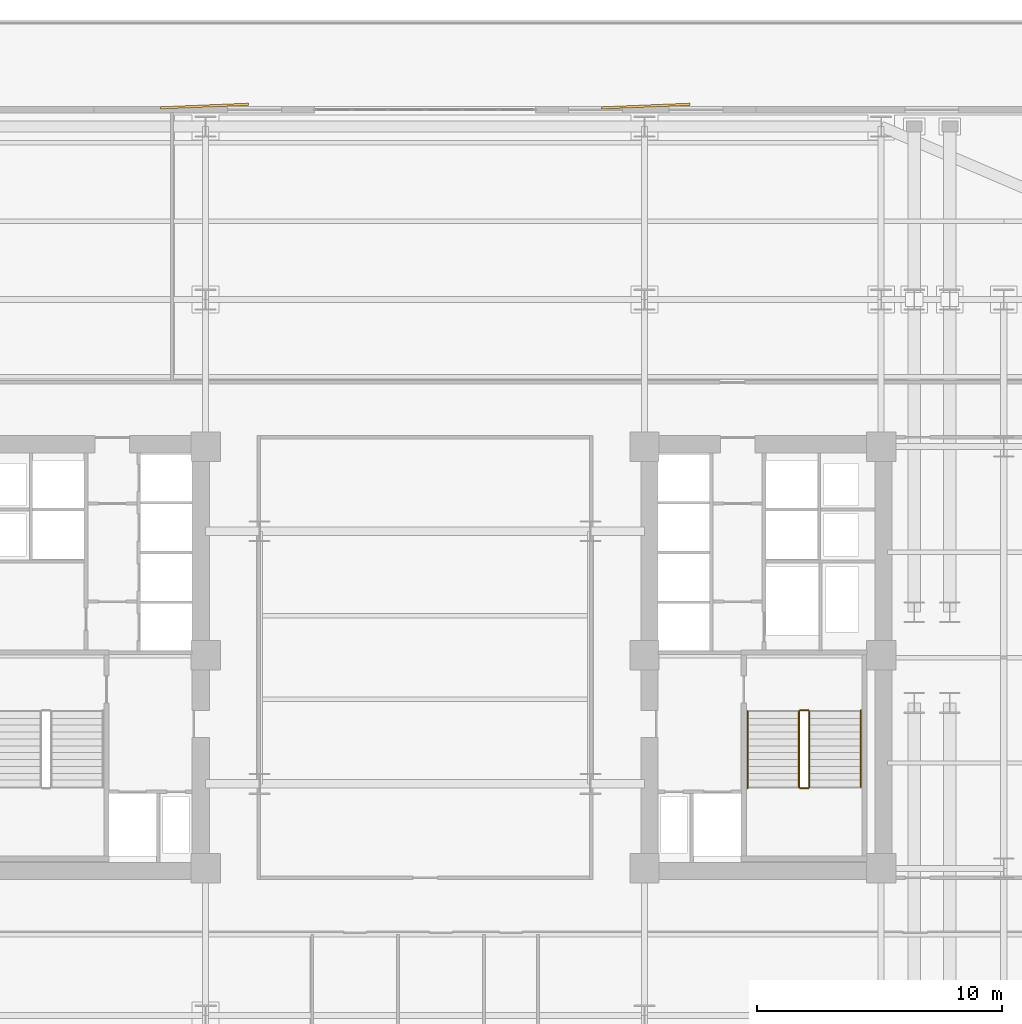
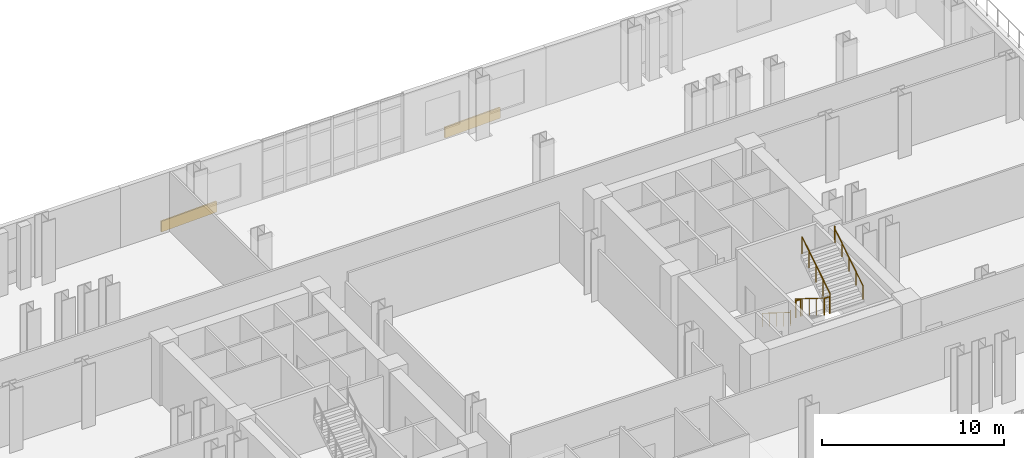
# One storey, part 13 of 14: 6 railings, 2 coverings.
"""IFC4 building model written with IfcOpenShell, lengths in metres."""

from ifc_helpers import new_model, si_unit, direction, frame, origin, origin_2d, place, context, subcontext, project, spatial, rectangle, circle, extrude, material, layer, layer_set, type_object, element, save


model = new_model("IFC4")

# Units and contexts
model_context = context("Model", 3, precision=1e-05, world=origin(), true_north=direction((0.0, 1.0)))
body_context = subcontext(model_context, "Body", "Model", "MODEL_VIEW")
ifc_project = project(units=[si_unit("LENGTHUNIT", "METRE"), si_unit("AREAUNIT", "SQUARE_METRE"), si_unit("VOLUMEUNIT", "CUBIC_METRE"), si_unit("PLANEANGLEUNIT", "RADIAN"), si_unit("MASSUNIT", "GRAM", prefix="KILO")], contexts=[model_context])

# Site, building, storey
site_placement = place(None, origin())
site = spatial("IfcSite", under=ifc_project, at=site_placement, CompositionType="ELEMENT")
building_placement = place(site_placement, origin())
building = spatial("IfcBuilding", under=site, at=building_placement, Name="Velakula Bourse", CompositionType="ELEMENT")
storey_placement = place(building_placement, frame((0.0, 0.0, 27.0)))
storey = spatial("IfcBuildingStorey", under=building, at=storey_placement, Name="L06", CompositionType="ELEMENT", Elevation=27.0)

# Coverings
ifc_material_1 = material(Name="Red kilned clay facing brick masonry", Category="masonry")
ifc_layer = layer(ifc_material_1, 0.090087890625, Name="Red kilned clay facing brick masonry", Category="masonry")
ifc_layer_set = layer_set([ifc_layer], Name="Red kilned clay facing brick masonry")
covering_type = type_object("IfcCoveringType", Name="COV-BRK-FOLD-90", PredefinedType="CLADDING", material=ifc_layer_set)
for number, where, z_axis, x_axis, name in (
    (1, (-9.0, 22.489990234375, 0.0), (0.0, 0.0, 1.0), (0.999158993058, 0.041003738744, 0.0), "L06 Folded Brick Facade Cladding Panel N-B2"),
    (2, (9.0, 22.489990234375, 0.0), (0.0, 0.0, 1.0), (0.999158993058, 0.041003738744, 0.0), "L06 Folded Brick Facade Cladding Panel N-B4"),
):
    element("IfcCovering", number, at=place(storey_placement, frame(where, z_axis=z_axis, x_axis=x_axis)), inside=storey, type_object=covering_type, Name=name, PredefinedType="CLADDING", context=body_context, shape_type="SweptSolid", body=[
        extrude(rectangle(XDim=3.60009765625, YDim=0.090087890625, at=origin_2d()), origin(), (0.0, 0.0, 1.0), 0.719970703125),
    ])

# Railings
ifc_material_2 = material(Name="Brushed grade 316 stainless steel", Category="steel")
railing_type_1 = type_object("IfcRailingType", Name="RLG-STAIR-GUARD-1150", PredefinedType="BALUSTRADE", material=ifc_material_2)
railing_1_placement = place(storey_placement, frame((15.248046875, -2.199951171875, 0.175048828125)))
element("IfcRailing", 3, at=railing_1_placement, inside=storey, type_object=railing_type_1, Name="L06 ST-E1 stair guard 1", PredefinedType="BALUSTRADE", context=body_context, shape_type="SweptSolid", body=[
    extrude(circle(Radius=0.02490234375, at=origin_2d()), frame((0.0, 0.0, 1.125), z_axis=(0.0, -0.847998304005, 0.529998940003), x_axis=(1.0, 0.0, 0.0)), (0.0, 0.0, 1.0), 3.632080078125),
    extrude(circle(Radius=0.02099609375, at=origin_2d()), origin(), (0.0, 0.0, 1.0), 1.099853515625),
    extrude(circle(Radius=0.02099609375, at=origin_2d()), frame((0.0, -0.77001953125, 0.481201171875)), (0.0, 0.0, 1.0), 1.099853515625),
    extrude(circle(Radius=0.02099609375, at=origin_2d()), frame((0.0, -1.5400390625, 0.96240234375)), (0.0, 0.0, 1.0), 1.099853515625),
    extrude(circle(Radius=0.02099609375, at=origin_2d()), frame((0.0, -2.31005859375, 1.44384765625)), (0.0, 0.0, 1.0), 1.099853515625),
    extrude(circle(Radius=0.02099609375, at=origin_2d()), frame((0.0, -3.080078125, 1.925048828125)), (0.0, 0.0, 1.0), 1.099853515625),
])
railing_2_placement = place(storey_placement, frame((15.298095703125, -5.330078125, 2.10009765625)))
element("IfcRailing", 4, at=railing_2_placement, inside=storey, type_object=railing_type_1, Name="L06 ST-E1 stair guard 2", PredefinedType="BALUSTRADE", context=body_context, shape_type="SweptSolid", body=[
    extrude(circle(Radius=0.02490234375, at=origin_2d()), frame((0.0, 0.0, 1.125), z_axis=(1.0, 0.0, 0.0), x_axis=(0.0, 1.0, 0.0)), (0.0, 0.0, 1.0), 0.323974609375),
    extrude(circle(Radius=0.02099609375, at=origin_2d()), origin(), (0.0, 0.0, 1.0), 1.099853515625),
    extrude(circle(Radius=0.02099609375, at=origin_2d()), frame((0.323974609375, 0.0, 0.0)), (0.0, 0.0, 1.0), 1.099853515625),
])
railing_3_placement = place(storey_placement, frame((15.672119140625, -5.280029296875, 2.27490234375)))
element("IfcRailing", 5, at=railing_3_placement, inside=storey, type_object=railing_type_1, Name="L06 ST-E1 stair guard 3", PredefinedType="BALUSTRADE", context=body_context, shape_type="SweptSolid", body=[
    extrude(circle(Radius=0.02490234375, at=origin_2d()), frame((0.0, 0.0, 1.125), z_axis=(0.0, 0.847998304005, 0.529998940003), x_axis=(-1.0, 0.0, 0.0)), (0.0, 0.0, 1.0), 3.632080078125),
    extrude(circle(Radius=0.02099609375, at=origin_2d()), origin(), (0.0, 0.0, 1.0), 1.099853515625),
    extrude(circle(Radius=0.02099609375, at=origin_2d()), frame((0.0, 0.77001953125, 0.481201171875)), (0.0, 0.0, 1.0), 1.099853515625),
    extrude(circle(Radius=0.02099609375, at=origin_2d()), frame((0.0, 1.5400390625, 0.96240234375)), (0.0, 0.0, 1.0), 1.099853515625),
    extrude(circle(Radius=0.02099609375, at=origin_2d()), frame((0.0, 2.31005859375, 1.44384765625)), (0.0, 0.0, 1.0), 1.099853515625),
    extrude(circle(Radius=0.02099609375, at=origin_2d()), frame((0.0, 3.080078125, 1.925048828125)), (0.0, 0.0, 1.0), 1.099853515625),
])
railing_4_placement = place(storey_placement, frame((15.298095703125, -2.14990234375, 0.0)))
element("IfcRailing", 6, at=railing_4_placement, inside=storey, type_object=railing_type_1, Name="L06 ST-E1 stair guard 4", PredefinedType="BALUSTRADE", context=body_context, shape_type="SweptSolid", body=[
    extrude(circle(Radius=0.02490234375, at=origin_2d()), frame((0.0, 0.0, 1.125), z_axis=(1.0, 0.0, 0.0), x_axis=(0.0, 1.0, 0.0)), (0.0, 0.0, 1.0), 0.323974609375),
    extrude(circle(Radius=0.02099609375, at=origin_2d()), origin(), (0.0, 0.0, 1.0), 1.099853515625),
    extrude(circle(Radius=0.02099609375, at=origin_2d()), frame((0.323974609375, 0.0, 0.0)), (0.0, 0.0, 1.0), 1.099853515625),
])
railing_type_2 = type_object("IfcRailingType", Name="RLG-STAIR-HAND-920", PredefinedType="HANDRAIL", material=ifc_material_2)
railing_5_placement = place(storey_placement, frame((13.14990234375, -2.199951171875, 0.175048828125)))
element("IfcRailing", 7, at=railing_5_placement, inside=storey, type_object=railing_type_2, Name="L06 ST-E1 stair handrail 1", PredefinedType="HANDRAIL", context=body_context, shape_type="SweptSolid", body=[
    extrude(circle(Radius=0.02099609375, at=origin_2d()), frame((0.0, 0.0, 0.89892578125), z_axis=(0.0, -0.847998304005, 0.529998940003), x_axis=(1.0, 0.0, 0.0)), (0.0, 0.0, 1.0), 3.632080078125),
    extrude(circle(Radius=0.02099609375, at=origin_2d()), frame((0.0, -3.080078125, 2.823974609375), z_axis=(0.0, -0.223268366363, 0.974757014123), x_axis=(1.0, 0.0, 0.0)), (0.0, 0.0, 1.0), 0.179443359375),
    extrude(circle(Radius=0.02099609375, at=origin_2d()), frame((0.0, -3.1201171875, 2.998779296875), z_axis=(0.0, -1.0, 0.0), x_axis=(1.0, 0.0, 0.0)), (0.0, 0.0, 1.0), 0.0048828125),
    extrude(circle(Radius=0.02099609375, at=origin_2d()), origin(), (0.0, 0.0, 1.0), 0.8779296875),
    extrude(circle(Radius=0.02099609375, at=origin_2d()), frame((0.0, -0.77001953125, 0.481201171875)), (0.0, 0.0, 1.0), 0.8779296875),
    extrude(circle(Radius=0.02099609375, at=origin_2d()), frame((0.0, -1.5400390625, 0.96240234375)), (0.0, 0.0, 1.0), 0.8779296875),
    extrude(circle(Radius=0.02099609375, at=origin_2d()), frame((0.0, -2.31005859375, 1.44384765625)), (0.0, 0.0, 1.0), 0.8779296875),
    extrude(circle(Radius=0.02099609375, at=origin_2d()), frame((0.0, -3.080078125, 1.925048828125)), (0.0, 0.0, 1.0), 0.8779296875),
    extrude(circle(Radius=0.02099609375, at=origin_2d()), frame((0.0, -3.1201171875, 2.099853515625)), (0.0, 0.0, 1.0), 0.8779296875),
    extrude(circle(Radius=0.02099609375, at=origin_2d()), frame((0.0, -3.125, 2.099853515625)), (0.0, 0.0, 1.0), 0.8779296875),
])
railing_6_placement = place(storey_placement, frame((17.77001953125, -5.280029296875, 2.27490234375)))
element("IfcRailing", 8, at=railing_6_placement, inside=storey, type_object=railing_type_2, Name="L06 ST-E1 stair handrail 2", PredefinedType="HANDRAIL", context=body_context, shape_type="SweptSolid", body=[
    extrude(circle(Radius=0.02099609375, at=origin_2d()), frame((0.0, 0.0, 0.89892578125), z_axis=(0.0, 0.847998304005, 0.529998940003), x_axis=(-1.0, 0.0, 0.0)), (0.0, 0.0, 1.0), 3.632080078125),
    extrude(circle(Radius=0.02099609375, at=origin_2d()), frame((0.0, 3.080078125, 2.823974609375), z_axis=(0.0, 0.222972465624, 0.974824743004), x_axis=(-1.0, 0.0, 0.0)), (0.0, 0.0, 1.0), 0.1796875),
    extrude(circle(Radius=0.02099609375, at=origin_2d()), frame((0.0, 3.1201171875, 2.9990234375), z_axis=(0.0, 1.0, 0.0), x_axis=(-1.0, 0.0, 0.0)), (0.0, 0.0, 1.0), 0.0048828125),
    extrude(circle(Radius=0.02099609375, at=origin_2d()), origin(), (0.0, 0.0, 1.0), 0.8779296875),
    extrude(circle(Radius=0.02099609375, at=origin_2d()), frame((0.0, 0.77001953125, 0.481201171875)), (0.0, 0.0, 1.0), 0.8779296875),
    extrude(circle(Radius=0.02099609375, at=origin_2d()), frame((0.0, 1.5400390625, 0.96240234375)), (0.0, 0.0, 1.0), 0.8779296875),
    extrude(circle(Radius=0.02099609375, at=origin_2d()), frame((0.0, 2.31005859375, 1.44384765625)), (0.0, 0.0, 1.0), 0.8779296875),
    extrude(circle(Radius=0.02099609375, at=origin_2d()), frame((0.0, 3.080078125, 1.925048828125)), (0.0, 0.0, 1.0), 0.8779296875),
    extrude(circle(Radius=0.02099609375, at=origin_2d()), frame((0.0, 3.1201171875, 2.10009765625)), (0.0, 0.0, 1.0), 0.8779296875),
    extrude(circle(Radius=0.02099609375, at=origin_2d()), frame((0.0, 3.125, 2.10009765625)), (0.0, 0.0, 1.0), 0.8779296875),
])

save(model, "model.ifc")
